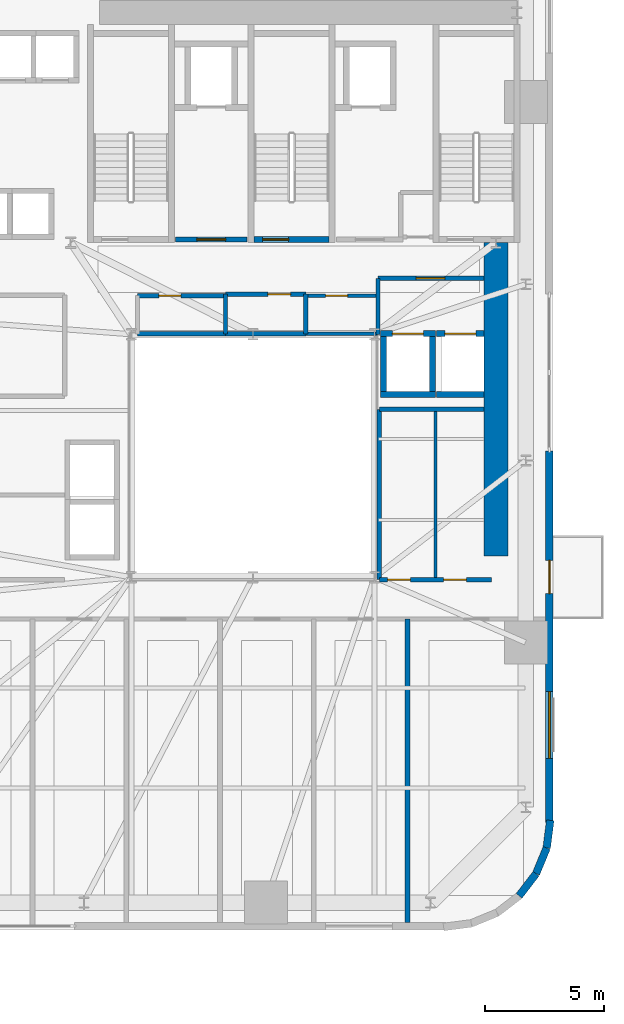
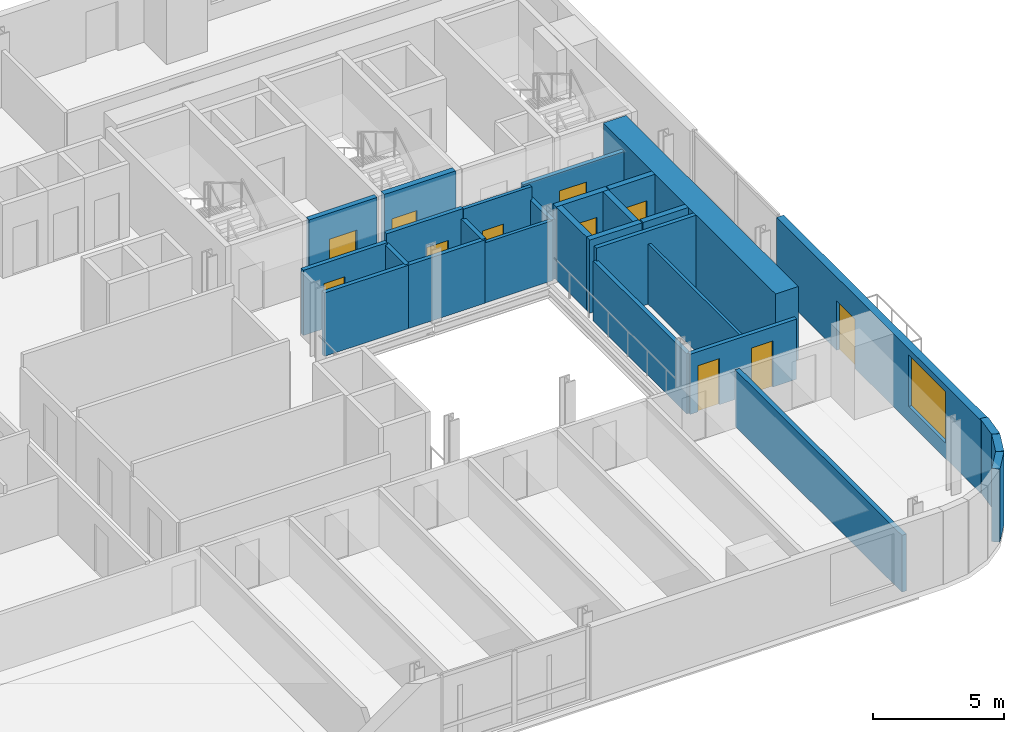
# One storey, part 7 of 13: 28 walls, 11 doors, 1 window, 12 openings.
"""IFC4 building model written with IfcOpenShell, lengths in metres."""

from ifc_helpers import new_model, si_unit, direction, frame, frame_2d, origin, place, context, subcontext, project, spatial, rectangle, extrude, source, transform, mapped, material, layer, layer_set, type_object, element, fill, save


model = new_model("IFC4")

# Units and contexts
model_context = context("Model", 3, precision=1e-05, world=origin(), true_north=direction((0.0, 1.0)))
body_context = subcontext(model_context, "Body", "Model", "MODEL_VIEW")
ifc_project = project(units=[si_unit("LENGTHUNIT", "METRE"), si_unit("AREAUNIT", "SQUARE_METRE"), si_unit("VOLUMEUNIT", "CUBIC_METRE"), si_unit("PLANEANGLEUNIT", "RADIAN"), si_unit("MASSUNIT", "GRAM", prefix="KILO")], contexts=[model_context])

# Site, building, storey
site_placement = place(None, origin())
site = spatial("IfcSite", under=ifc_project, at=site_placement, CompositionType="ELEMENT")
building_placement = place(site_placement, origin())
building = spatial("IfcBuilding", under=site, at=building_placement, Name="Vardaveli Station Tower", CompositionType="ELEMENT")
storey_placement = place(building_placement, frame((0.0, 0.0, 56.800048828125)))
storey = spatial("IfcBuildingStorey", under=building, at=storey_placement, Name="L14", CompositionType="ELEMENT", Elevation=56.800048828125)

# Wall
ifc_material_1 = material(Name="Concrete C60/75", Category="concrete")
ifc_layer_1 = layer(ifc_material_1, 1.0, Name="Concrete C60/75")
ifc_layer_set_1 = layer_set([ifc_layer_1], Name="Concrete C60/75")
wall_type_1 = type_object("IfcWallType", Name="WAL-CORE-1000", PredefinedType="SHEAR", material=ifc_layer_set_1)
shared_shape_1 = source(origin(), body_context, "Body", "SweptSolid", [
    extrude(rectangle(XDim=13.14990234375, YDim=1.0, at=frame_2d((6.574951171875, 0.0))), origin(), (0.0, 0.0, 1.0), 3.409912109375),
])
wall_1_placement = place(storey_placement, frame((46.5, 17.5, 0.0), z_axis=(0.0, 0.0, 1.0), x_axis=(0.0, 1.0, 0.0)))
element("IfcWall", 1, at=wall_1_placement, inside=storey, type_object=wall_type_1, Name="SW-L14-EAST2", PredefinedType="SHEAR", context=body_context, shape_type="MappedRepresentation", body=[
    mapped(shared_shape_1, transform((0.0, 0.0, 0.0), scale=1.0)),
])

# Wall, openings, door, window
ifc_material_2 = material(Name="Precast concrete C45/55", Category="concrete")
ifc_layer_2 = layer(ifc_material_2, 0.320068359375, Name="Precast concrete C45/55")
ifc_layer_set_2 = layer_set([ifc_layer_2], Name="Precast concrete C45/55")
wall_type_2 = type_object("IfcWallType", Name="WAL-EXT-STONE-320", PredefinedType="SOLIDWALL", material=ifc_layer_set_2)
shared_shape_2 = source(origin(), body_context, "Body", "SweptSolid", [
    extrude(rectangle(XDim=15.599853515625, YDim=0.320068359375, at=frame_2d((7.7998046875, 0.0))), origin(), (0.0, 0.0, 1.0), 3.409912109375),
])
wall_2_placement = place(storey_placement, frame((48.739990234375, 6.300048828125, 0.0), z_axis=(0.0, 0.0, 1.0), x_axis=(0.0, 1.0, 0.0)))
wall_2 = element("IfcWall", 2, at=wall_2_placement, inside=storey, type_object=wall_type_2, Name="EW-L14-E1", PredefinedType="SOLIDWALL", context=body_context, shape_type="MappedRepresentation", body=[
    mapped(shared_shape_2, transform((0.0, 0.0, 0.0), scale=1.0)),
])
shared_shape_3 = source(origin(), body_context, "Body", "SweptSolid", [
    extrude(rectangle(XDim=1.39990234375, YDim=2.300048828125, at=frame_2d((0.699951171875, 1.14990234375))), frame((0.0, 0.169921875, 0.0), z_axis=(0.0, -1.0, 0.0), x_axis=(1.0, 0.0, 0.0)), (0.0, 0.0, 1.0), 0.340087890625),
])
opening_1_placement = place(wall_2_placement, frame((9.6103515625, 0.0, 0.0)))
opening_1 = element("IfcOpeningElement", 3, at=opening_1_placement, cuts=wall_2, Name="Opening D-09", PredefinedType="OPENING", context=body_context, shape_type="MappedRepresentation", body=[
    mapped(shared_shape_3, transform((0.0, 0.0, 0.0), scale=1.0)),
])
shared_shape_4 = source(origin(), body_context, "Body", "SweptSolid", [
    extrude(rectangle(XDim=2.800048828125, YDim=2.39990234375, at=frame_2d((1.39990234375, 1.199951171875))), frame((0.0, 0.169921875, 0.0), z_axis=(0.0, -1.0, 0.0), x_axis=(1.0, 0.0, 0.0)), (0.0, 0.0, 1.0), 0.340087890625),
])
opening_2_placement = place(wall_2_placement, frame((2.705078125, 0.0, 0.719970703125)))
opening_2 = element("IfcOpeningElement", 4, at=opening_2_placement, cuts=wall_2, Name="Opening W-04", PredefinedType="OPENING", context=body_context, shape_type="MappedRepresentation", body=[
    mapped(shared_shape_4, transform((0.0, 0.0, 0.0), scale=1.0)),
])
ifc_material_3 = material(Name="Thermally broken aluminium glass", Category="aluminium")
door_type_1 = type_object("IfcDoorType", Name="DR-LOG-1400x2300", OperationType="DOUBLE_DOOR_SLIDING", PredefinedType="DOOR", material=ifc_material_3)
shared_shape_5 = source(origin(), body_context, "Body", "SweptSolid", [
    extrude(rectangle(XDim=1.39990234375, YDim=2.300048828125, at=frame_2d((0.699951171875, 1.14990234375))), frame((0.0, 0.02490234375, 0.0), z_axis=(0.0, -1.0, 0.0), x_axis=(1.0, 0.0, 0.0)), (0.0, 0.0, 1.0), 0.050048828125),
])
door_1_placement = place(opening_1_placement, frame((1.39990234375, 0.0, 0.0), z_axis=(0.0, 0.0, 1.0), x_axis=(-1.0, 0.0, 0.0)))
door_1 = element("IfcDoor", 5, at=door_1_placement, inside=storey, type_object=door_type_1, Name="DLG-L14-E", OperationType="DOUBLE_DOOR_SLIDING", OverallHeight=2.300048828125, OverallWidth=1.39990234375, PredefinedType="DOOR", context=body_context, shape_type="MappedRepresentation", body=[
    mapped(shared_shape_5, transform((0.0, 0.0, 0.0), scale=1.0)),
])
fill(opening_1, door_1)
ifc_material_4 = material(Name="Low-E solar-control glass", Category="glass")
window_type = type_object("IfcWindowType", Name="WIN-SUITE-2800x2400", PartitioningType="SINGLE_PANEL", PredefinedType="WINDOW", material=ifc_material_4)
shared_shape_6 = source(origin(), body_context, "Body", "SweptSolid", [
    extrude(rectangle(XDim=2.800048828125, YDim=2.39990234375, at=frame_2d((1.39990234375, 1.199951171875))), frame((0.0, 0.030029296875, 0.0), z_axis=(0.0, -1.0, 0.0), x_axis=(1.0, 0.0, 0.0)), (0.0, 0.0, 1.0), 0.06005859375),
])
window_placement = place(opening_2_placement, origin())
window = element("IfcWindow", 6, at=window_placement, inside=storey, type_object=window_type, Name="WN-L14-E1", OverallHeight=2.39990234375, OverallWidth=2.800048828125, PartitioningType="SINGLE_PANEL", PredefinedType="WINDOW", context=body_context, shape_type="MappedRepresentation", body=[
    mapped(shared_shape_6, transform((0.0, 0.0, 0.0), scale=1.0)),
])
fill(opening_2, window)

# Walls
shared_shape_7 = source(origin(), body_context, "Body", "SweptSolid", [
    extrude(rectangle(XDim=1.170654296875, YDim=0.320068359375, at=frame_2d((0.58544921875, 0.0))), origin(), (0.0, 0.0, 1.0), 3.409912109375),
])
wall_3_placement = place(storey_placement, frame((48.62548828125, 5.23974609375, 0.0), z_axis=(0.0, 0.0, 1.0), x_axis=(0.128269133229, 0.991739395941, 0.0)))
element("IfcWall", 7, at=wall_3_placement, inside=storey, type_object=wall_type_2, Name="EW-L14-CR2-6", PredefinedType="SOLIDWALL", context=body_context, shape_type="MappedRepresentation", body=[
    mapped(shared_shape_7, transform((0.0, 0.0, 0.0), scale=1.0)),
])
shared_shape_8 = source(origin(), body_context, "Body", "SweptSolid", [
    extrude(rectangle(XDim=1.1689453125, YDim=0.320068359375, at=frame_2d((0.58447265625, 0.0))), origin(), (0.0, 0.0, 1.0), 3.409912109375),
])
for number, where, z_axis, x_axis, name in (
    (8, (47.46875, 3.231201171875, 0.0), (0.0, 0.0, 1.0), (0.608387696831, 0.793639975269, 0.0), "EW-L14-CR2-4"),
    (9, (48.179931640625, 4.158935546875, 0.0), (0.0, 0.0, 1.0), (0.381127904695, 0.924522320046, 0.0), "EW-L14-CR2-5"),
):
    element("IfcWall", number, at=place(storey_placement, frame(where, z_axis=z_axis, x_axis=x_axis)), inside=storey, type_object=wall_type_2, Name=name, PredefinedType="SOLIDWALL", context=body_context, shape_type="MappedRepresentation", body=[
        mapped(shared_shape_8, transform((0.0, 0.0, 0.0), scale=1.0)),
    ])

# Wall, opening, door
ifc_material_5 = material(Name="Concrete C40/50", Category="concrete")
ifc_layer_3 = layer(ifc_material_5, 0.25, Name="Concrete C40/50")
ifc_layer_set_3 = layer_set([ifc_layer_3], Name="Concrete C40/50")
wall_type_3 = type_object("IfcWallType", Name="WAL-SHAFT-250", PredefinedType="SOLIDWALL", material=ifc_layer_set_3)
shared_shape_9 = source(origin(), body_context, "Body", "SweptSolid", [
    extrude(rectangle(XDim=3.14990234375, YDim=0.25, at=frame_2d((1.574951171875, 0.0))), origin(), (0.0, 0.0, 1.0), 3.449951171875),
])
wall_4_placement = place(storey_placement, frame((36.35009765625, 30.77490234375, 0.0), z_axis=(0.0, 0.0, 1.0), x_axis=(1.0, 0.0, 0.0)))
wall_4 = element("IfcWall", 10, at=wall_4_placement, inside=storey, type_object=wall_type_3, Name="W-L14-ST-2S", PredefinedType="SOLIDWALL", context=body_context, shape_type="MappedRepresentation", body=[
    mapped(shared_shape_9, transform((0.0, 0.0, 0.0), scale=1.0)),
])
shared_shape_10 = source(origin(), body_context, "Body", "SweptSolid", [
    extrude(rectangle(XDim=1.10009765625, YDim=2.199951171875, at=frame_2d((0.550048828125, 1.10009765625))), frame((0.0, 0.135009765625, 0.0), z_axis=(0.0, -1.0, 0.0), x_axis=(1.0, 0.0, 0.0)), (0.0, 0.0, 1.0), 0.27001953125),
])
opening_3_placement = place(wall_4_placement, frame((0.35009765625, 0.0, 0.0)))
opening_3 = element("IfcOpeningElement", 11, at=opening_3_placement, cuts=wall_4, Name="Opening D-04", PredefinedType="OPENING", context=body_context, shape_type="MappedRepresentation", body=[
    mapped(shared_shape_10, transform((0.0, 0.0, 0.0), scale=1.0)),
])
ifc_material_6 = material(Name="Steel smokeproof fire doorset", Category="steel")
door_type_2 = type_object("IfcDoorType", Name="DR-ST-1100x2200", OperationType="NOTDEFINED", PredefinedType="DOOR", material=ifc_material_6)
shared_shape_11 = source(origin(), body_context, "Body", "SweptSolid", [
    extrude(rectangle(XDim=1.10009765625, YDim=2.199951171875, at=frame_2d((0.550048828125, 1.10009765625))), frame((0.0, 0.02490234375, 0.0), z_axis=(0.0, -1.0, 0.0), x_axis=(1.0, 0.0, 0.0)), (0.0, 0.0, 1.0), 0.050048828125),
])
door_2_placement = place(opening_3_placement, origin())
door_2 = element("IfcDoor", 12, at=door_2_placement, inside=storey, type_object=door_type_2, Name="DST-2-L14", OperationType="SINGLE_SWING_LEFT", OverallHeight=2.199951171875, OverallWidth=1.10009765625, PredefinedType="DOOR", context=body_context, shape_type="MappedRepresentation", body=[
    mapped(shared_shape_11, transform((0.0, 0.0, 0.0), scale=1.0)),
])
fill(opening_3, door_2)

ifc_layer_4 = layer(ifc_material_5, 0.219970703125, Name="Concrete C40/50")
ifc_layer_set_4 = layer_set([ifc_layer_4], Name="Concrete C40/50")
wall_type_4 = type_object("IfcWallType", Name="WAL-FFLOBBY-220", PredefinedType="SOLIDWALL", material=ifc_layer_set_4)
shared_shape_12 = source(origin(), body_context, "Body", "SweptSolid", [
    extrude(rectangle(XDim=3.0, YDim=0.219970703125, at=frame_2d((1.5, 0.0))), origin(), (0.0, 0.0, 1.0), 3.409912109375),
])
wall_5_placement = place(storey_placement, frame((33.050048828125, 30.780029296875, 0.0), z_axis=(0.0, 0.0, 1.0), x_axis=(1.0, 0.0, 0.0)))
wall_5 = element("IfcWall", 13, at=wall_5_placement, inside=storey, type_object=wall_type_4, Name="W-L14-FFL1S", PredefinedType="SOLIDWALL", context=body_context, shape_type="MappedRepresentation", body=[
    mapped(shared_shape_12, transform((0.0, 0.0, 0.0), scale=1.0)),
])
shared_shape_13 = source(origin(), body_context, "Body", "SweptSolid", [
    extrude(rectangle(XDim=1.199951171875, YDim=2.199951171875, at=frame_2d((0.60009765625, 1.10009765625))), frame((0.0, 0.1201171875, 0.0), z_axis=(0.0, -1.0, 0.0), x_axis=(1.0, 0.0, 0.0)), (0.0, 0.0, 1.0), 0.239990234375),
])
opening_4_placement = place(wall_5_placement, frame((0.89990234375, 0.0, 0.0)))
opening_4 = element("IfcOpeningElement", 14, at=opening_4_placement, cuts=wall_5, Name="Opening D-03", PredefinedType="OPENING", context=body_context, shape_type="MappedRepresentation", body=[
    mapped(shared_shape_13, transform((0.0, 0.0, 0.0), scale=1.0)),
])
door_type_3 = type_object("IfcDoorType", Name="DR-FFL-1200x2200", OperationType="NOTDEFINED", PredefinedType="DOOR", material=ifc_material_6)
shared_shape_14 = source(origin(), body_context, "Body", "SweptSolid", [
    extrude(rectangle(XDim=1.199951171875, YDim=2.199951171875, at=frame_2d((0.60009765625, 1.10009765625))), frame((0.0, 0.02490234375, 0.0), z_axis=(0.0, -1.0, 0.0), x_axis=(1.0, 0.0, 0.0)), (0.0, 0.0, 1.0), 0.050048828125),
])
door_3_placement = place(opening_4_placement, origin())
door_3 = element("IfcDoor", 15, at=door_3_placement, inside=storey, type_object=door_type_3, Name="DFFL1-L14", OperationType="SINGLE_SWING_LEFT", OverallHeight=2.199951171875, OverallWidth=1.199951171875, PredefinedType="DOOR", context=body_context, shape_type="MappedRepresentation", body=[
    mapped(shared_shape_14, transform((0.0, 0.0, 0.0), scale=1.0)),
])
fill(opening_4, door_3)

# Wall
shared_shape_15 = source(origin(), body_context, "Body", "SweptSolid", [
    extrude(rectangle(XDim=2.300048828125, YDim=0.25, at=frame_2d((1.14990234375, 0.0))), origin(), (0.0, 0.0, 1.0), 3.409912109375),
])
wall_6_placement = place(storey_placement, frame((41.64990234375, 24.27490234375, 0.0), z_axis=(0.0, 0.0, 1.0), x_axis=(1.0, 0.0, 0.0)))
element("IfcWall", 16, at=wall_6_placement, inside=storey, type_object=wall_type_3, Name="SHW-SRV-01-L14-S", PredefinedType="SOLIDWALL", context=body_context, shape_type="MappedRepresentation", body=[
    mapped(shared_shape_15, transform((0.0, 0.0, 0.0), scale=1.0)),
])

# Wall, opening, door
wall_7_placement = place(storey_placement, frame((41.64990234375, 26.824951171875, 0.0), z_axis=(0.0, 0.0, 1.0), x_axis=(1.0, 0.0, 0.0)))
wall_7 = element("IfcWall", 17, at=wall_7_placement, inside=storey, type_object=wall_type_3, Name="SHW-SRV-01-L14-N", PredefinedType="SOLIDWALL", context=body_context, shape_type="MappedRepresentation", body=[
    mapped(shared_shape_15, transform((0.0, 0.0, 0.0), scale=1.0)),
])
shared_shape_16 = source(origin(), body_context, "Body", "SweptSolid", [
    extrude(rectangle(XDim=1.300048828125, YDim=2.300048828125, at=frame_2d((0.64990234375, 1.14990234375))), frame((0.0, 0.135009765625, 0.0), z_axis=(0.0, -1.0, 0.0), x_axis=(1.0, 0.0, 0.0)), (0.0, 0.0, 1.0), 0.27001953125),
])
opening_5_placement = place(wall_7_placement, frame((0.5, 0.0, 0.0)))
opening_5 = element("IfcOpeningElement", 18, at=opening_5_placement, cuts=wall_7, Name="Opening LD-03", PredefinedType="OPENING", context=body_context, shape_type="MappedRepresentation", body=[
    mapped(shared_shape_16, transform((0.0, 0.0, 0.0), scale=1.0)),
])
ifc_material_7 = material(Name="Brushed stainless steel", Category="steel")
door_type_4 = type_object("IfcDoorType", Name="DR-LD-1300x2300", OperationType="DOUBLE_DOOR_SLIDING", PredefinedType="DOOR", material=ifc_material_7)
shared_shape_17 = source(origin(), body_context, "Body", "SweptSolid", [
    extrude(rectangle(XDim=1.300048828125, YDim=2.300048828125, at=frame_2d((0.64990234375, 1.14990234375))), frame((0.0, 0.02490234375, 0.0), z_axis=(0.0, -1.0, 0.0), x_axis=(1.0, 0.0, 0.0)), (0.0, 0.0, 1.0), 0.050048828125),
])
door_4_placement = place(opening_5_placement, origin())
door_4 = element("IfcDoor", 19, at=door_4_placement, inside=storey, type_object=door_type_4, Name="LD-SRV-01-L14", OperationType="DOUBLE_DOOR_SLIDING", OverallHeight=2.300048828125, OverallWidth=1.300048828125, PredefinedType="DOOR", context=body_context, shape_type="MappedRepresentation", body=[
    mapped(shared_shape_17, transform((0.0, 0.0, 0.0), scale=1.0)),
])
fill(opening_5, door_4)

# Walls
for number, where, z_axis, x_axis, name in (
    (20, (41.77490234375, 24.39990234375, 0.0), (0.0, 0.0, 1.0), (0.0, 1.0, 0.0), "SHW-SRV-01-L14-W"),
    (21, (43.824951171875, 24.39990234375, 0.0), (0.0, 0.0, 1.0), (0.0, 1.0, 0.0), "SHW-SRV-01-L14-E"),
):
    element("IfcWall", number, at=place(storey_placement, frame(where, z_axis=z_axis, x_axis=x_axis)), inside=storey, type_object=wall_type_3, Name=name, PredefinedType="SOLIDWALL", context=body_context, shape_type="MappedRepresentation", body=[
        mapped(shared_shape_15, transform((0.0, 0.0, 0.0), scale=1.0)),
    ])
shared_shape_18 = source(origin(), body_context, "Body", "SweptSolid", [
    extrude(rectangle(XDim=2.0, YDim=0.25, at=frame_2d((1.0, 0.0))), origin(), (0.0, 0.0, 1.0), 3.409912109375),
])
wall_8_placement = place(storey_placement, frame((44.0, 24.27490234375, 0.0), z_axis=(0.0, 0.0, 1.0), x_axis=(1.0, 0.0, 0.0)))
element("IfcWall", 22, at=wall_8_placement, inside=storey, type_object=wall_type_3, Name="SHW-SRV-02-L14-S", PredefinedType="SOLIDWALL", context=body_context, shape_type="MappedRepresentation", body=[
    mapped(shared_shape_18, transform((0.0, 0.0, 0.0), scale=1.0)),
])

# Wall, opening, door
wall_9_placement = place(storey_placement, frame((44.0, 26.824951171875, 0.0), z_axis=(0.0, 0.0, 1.0), x_axis=(1.0, 0.0, 0.0)))
wall_9 = element("IfcWall", 23, at=wall_9_placement, inside=storey, type_object=wall_type_3, Name="SHW-SRV-02-L14-N", PredefinedType="SOLIDWALL", context=body_context, shape_type="MappedRepresentation", body=[
    mapped(shared_shape_18, transform((0.0, 0.0, 0.0), scale=1.0)),
])
opening_6_placement = place(wall_9_placement, frame((0.35009765625, 0.0, 0.0)))
opening_6 = element("IfcOpeningElement", 24, at=opening_6_placement, cuts=wall_9, Name="Opening LD-03", PredefinedType="OPENING", context=body_context, shape_type="MappedRepresentation", body=[
    mapped(shared_shape_16, transform((0.0, 0.0, 0.0), scale=1.0)),
])
door_5_placement = place(opening_6_placement, origin())
door_5 = element("IfcDoor", 25, at=door_5_placement, inside=storey, type_object=door_type_4, Name="LD-SRV-02-L14", OperationType="DOUBLE_DOOR_SLIDING", OverallHeight=2.300048828125, OverallWidth=1.300048828125, PredefinedType="DOOR", context=body_context, shape_type="MappedRepresentation", body=[
    mapped(shared_shape_17, transform((0.0, 0.0, 0.0), scale=1.0)),
])
fill(opening_6, door_5)

ifc_material_8 = material(Name="Fire-rated gypsum stud partition")
ifc_layer_5 = layer(ifc_material_8, 0.179931640625, Name="Fire-rated gypsum stud partition")
ifc_layer_set_5 = layer_set([ifc_layer_5], Name="Fire-rated gypsum stud partition")
wall_type_5 = type_object("IfcWallType", Name="WAL-CORR-180", PredefinedType="PARTITIONING", material=ifc_layer_set_5)
shared_shape_19 = source(origin(), body_context, "Body", "SweptSolid", [
    extrude(rectangle(XDim=4.447998046875, YDim=0.179931640625, at=frame_2d((2.22412109375, 0.0))), origin(), (0.0, 0.0, 1.0), 3.0419921875),
])
wall_10_placement = place(storey_placement, frame((41.550048828125, 29.14990234375, 0.0), z_axis=(0.0, 0.0, 1.0), x_axis=(1.0, 0.0, 0.0)))
wall_10 = element("IfcWall", 26, at=wall_10_placement, inside=storey, type_object=wall_type_5, Name="W-L14-SVFN", PredefinedType="PARTITIONING", context=body_context, shape_type="MappedRepresentation", body=[
    mapped(shared_shape_19, transform((0.0, 0.0, 0.0), scale=1.0)),
])
shared_shape_20 = source(origin(), body_context, "Body", "SweptSolid", [
    extrude(rectangle(XDim=1.199951171875, YDim=2.199951171875, at=frame_2d((0.60009765625, 1.10009765625))), frame((0.0, 0.10009765625, 0.0), z_axis=(0.0, -1.0, 0.0), x_axis=(1.0, 0.0, 0.0)), (0.0, 0.0, 1.0), 0.199951171875),
])
opening_7_placement = place(wall_10_placement, frame((1.60009765625, 0.0, 0.0)))
opening_7 = element("IfcOpeningElement", 27, at=opening_7_placement, cuts=wall_10, Name="Opening D-03", PredefinedType="OPENING", context=body_context, shape_type="MappedRepresentation", body=[
    mapped(shared_shape_20, transform((0.0, 0.0, 0.0), scale=1.0)),
])
door_6_placement = place(opening_7_placement, origin())
door_6 = element("IfcDoor", 28, at=door_6_placement, inside=storey, type_object=door_type_3, Name="D-L14-SVF", OperationType="SINGLE_SWING_LEFT", OverallHeight=2.199951171875, OverallWidth=1.199951171875, PredefinedType="DOOR", context=body_context, shape_type="MappedRepresentation", body=[
    mapped(shared_shape_14, transform((0.0, 0.0, 0.0), scale=1.0)),
])
fill(opening_7, door_6)

# Wall, openings, doors
shared_shape_21 = source(origin(), body_context, "Body", "SweptSolid", [
    extrude(rectangle(XDim=4.699951171875, YDim=0.179931640625, at=frame_2d((2.35009765625, 0.0))), origin(), (0.0, 0.0, 1.0), 2.802001953125),
])
wall_11_placement = place(storey_placement, frame((41.60009765625, 16.5, 0.0), z_axis=(0.0, 0.0, 1.0), x_axis=(1.0, 0.0, 0.0)))
wall_11 = element("IfcWall", 29, at=wall_11_placement, inside=storey, type_object=wall_type_5, Name="W-L14-ATE-S", PredefinedType="PARTITIONING", context=body_context, shape_type="MappedRepresentation", body=[
    mapped(shared_shape_21, transform((0.0, 0.0, 0.0), scale=1.0)),
])
shared_shape_22 = source(origin(), body_context, "Body", "SweptSolid", [
    extrude(rectangle(XDim=0.949951171875, YDim=2.14990234375, at=frame_2d((0.47509765625, 1.074951171875))), frame((0.0, 0.10009765625, 0.0), z_axis=(0.0, -1.0, 0.0), x_axis=(1.0, 0.0, 0.0)), (0.0, 0.0, 1.0), 0.199951171875),
])
opening_8_placement = place(wall_11_placement, frame((0.35009765625, 0.0, 0.0)))
opening_8 = element("IfcOpeningElement", 30, at=opening_8_placement, cuts=wall_11, Name="Opening D-11", PredefinedType="OPENING", context=body_context, shape_type="MappedRepresentation", body=[
    mapped(shared_shape_22, transform((0.0, 0.0, 0.0), scale=1.0)),
])
opening_9_placement = place(wall_11_placement, frame((2.699951171875, 0.0, 0.0)))
opening_9 = element("IfcOpeningElement", 31, at=opening_9_placement, cuts=wall_11, Name="Opening D-11", PredefinedType="OPENING", context=body_context, shape_type="MappedRepresentation", body=[
    mapped(shared_shape_22, transform((0.0, 0.0, 0.0), scale=1.0)),
])
ifc_material_9 = material(Name="Oak veneer internal suite door")
door_type_5 = type_object("IfcDoorType", Name="DR-INT-950x2150", OperationType="NOTDEFINED", PredefinedType="DOOR", material=ifc_material_9)
shared_shape_23 = source(origin(), body_context, "Body", "SweptSolid", [
    extrude(rectangle(XDim=0.949951171875, YDim=2.14990234375, at=frame_2d((0.47509765625, 1.074951171875))), frame((0.0, 0.02490234375, 0.0), z_axis=(0.0, -1.0, 0.0), x_axis=(1.0, 0.0, 0.0)), (0.0, 0.0, 1.0), 0.050048828125),
])
door_7_placement = place(opening_8_placement, origin())
door_7 = element("IfcDoor", 32, at=door_7_placement, inside=storey, type_object=door_type_5, Name="D-L14-ATE1", OperationType="SINGLE_SWING_RIGHT", OverallHeight=2.14990234375, OverallWidth=0.949951171875, PredefinedType="DOOR", context=body_context, shape_type="MappedRepresentation", body=[
    mapped(shared_shape_23, transform((0.0, 0.0, 0.0), scale=1.0)),
])
fill(opening_8, door_7)
door_8_placement = place(opening_9_placement, origin())
door_8 = element("IfcDoor", 33, at=door_8_placement, inside=storey, type_object=door_type_5, Name="D-L14-ATE2", OperationType="SINGLE_SWING_LEFT", OverallHeight=2.14990234375, OverallWidth=0.949951171875, PredefinedType="DOOR", context=body_context, shape_type="MappedRepresentation", body=[
    mapped(shared_shape_23, transform((0.0, 0.0, 0.0), scale=1.0)),
])
fill(opening_9, door_8)

# Walls
shared_shape_24 = source(origin(), body_context, "Body", "SweptSolid", [
    extrude(rectangle(XDim=7.14990234375, YDim=0.179931640625, at=frame_2d((3.574951171875, 0.0))), origin(), (0.0, 0.0, 1.0), 2.802001953125),
])
wall_12_placement = place(storey_placement, frame((41.60009765625, 16.5, 0.0), z_axis=(0.0, 0.0, 1.0), x_axis=(0.0, 1.0, 0.0)))
element("IfcWall", 34, at=wall_12_placement, inside=storey, type_object=wall_type_5, Name="W-L14-ATE-W", PredefinedType="PARTITIONING", context=body_context, shape_type="MappedRepresentation", body=[
    mapped(shared_shape_24, transform((0.0, 0.0, 0.0), scale=1.0)),
])
shared_shape_25 = source(origin(), body_context, "Body", "SweptSolid", [
    extrude(rectangle(XDim=4.39794921875, YDim=0.179931640625, at=frame_2d((2.198974609375, 0.0))), origin(), (0.0, 0.0, 1.0), 3.409912109375),
])
wall_13_placement = place(storey_placement, frame((41.60009765625, 23.64990234375, 0.0), z_axis=(0.0, 0.0, 1.0), x_axis=(1.0, 0.0, 0.0)))
element("IfcWall", 35, at=wall_13_placement, inside=storey, type_object=wall_type_5, Name="W-L14-ATE-N", PredefinedType="PARTITIONING", context=body_context, shape_type="MappedRepresentation", body=[
    mapped(shared_shape_25, transform((0.0, 0.0, 0.0), scale=1.0)),
])
shared_shape_26 = source(origin(), body_context, "Body", "SweptSolid", [
    extrude(rectangle(XDim=2.349853515625, YDim=0.179931640625, at=frame_2d((1.1748046875, 0.0))), origin(), (0.0, 0.0, 1.0), 2.802001953125),
])
wall_14_placement = place(storey_placement, frame((41.550048828125, 26.800048828125, 0.0), z_axis=(0.0, 0.0, 1.0), x_axis=(0.0, 1.0, 0.0)))
element("IfcWall", 36, at=wall_14_placement, inside=storey, type_object=wall_type_5, Name="W-L14-SVFW", PredefinedType="PARTITIONING", context=body_context, shape_type="MappedRepresentation", body=[
    mapped(shared_shape_26, transform((0.0, 0.0, 0.0), scale=1.0)),
])
ifc_material_10 = material(Name="Gypsum board stud partition")
ifc_layer_6 = layer(ifc_material_10, 0.125, Name="Gypsum board stud partition")
ifc_layer_set_6 = layer_set([ifc_layer_6], Name="Gypsum board stud partition")
wall_type_6 = type_object("IfcWallType", Name="WAL-INT-125", PredefinedType="PARTITIONING", material=ifc_layer_set_6)
shared_shape_27 = source(origin(), body_context, "Body", "SweptSolid", [
    extrude(rectangle(XDim=7.14990234375, YDim=0.125, at=frame_2d((3.574951171875, 0.0))), origin(), (0.0, 0.0, 1.0), 2.802001953125),
])
wall_15_placement = place(storey_placement, frame((43.949951171875, 16.5, 0.0), z_axis=(0.0, 0.0, 1.0), x_axis=(0.0, 1.0, 0.0)))
element("IfcWall", 37, at=wall_15_placement, inside=storey, type_object=wall_type_6, Name="W-L14-ATEM", PredefinedType="PARTITIONING", context=body_context, shape_type="MappedRepresentation", body=[
    mapped(shared_shape_27, transform((0.0, 0.0, 0.0), scale=1.0)),
])

# Wall, opening, door
shared_shape_28 = source(origin(), body_context, "Body", "SweptSolid", [
    extrude(rectangle(XDim=3.699951171875, YDim=0.179931640625, at=frame_2d((1.85009765625, 0.0))), origin(), (0.0, 0.0, 1.0), 3.0419921875),
])
wall_16_placement = place(storey_placement, frame((31.449951171875, 28.419921875, 0.0), z_axis=(0.0, 0.0, 1.0), x_axis=(1.0, 0.0, 0.0)))
wall_16 = element("IfcWall", 38, at=wall_16_placement, inside=storey, type_object=wall_type_5, Name="W-L14-CS2A-N", PredefinedType="PARTITIONING", context=body_context, shape_type="MappedRepresentation", body=[
    mapped(shared_shape_28, transform((0.0, 0.0, 0.0), scale=1.0)),
])
shared_shape_29 = source(origin(), body_context, "Body", "SweptSolid", [
    extrude(rectangle(XDim=0.919921875, YDim=2.10009765625, at=frame_2d((0.4599609375, 1.050048828125))), frame((0.0, 0.10009765625, 0.0), z_axis=(0.0, -1.0, 0.0), x_axis=(1.0, 0.0, 0.0)), (0.0, 0.0, 1.0), 0.199951171875),
])
opening_10_placement = place(wall_16_placement, frame((0.89990234375, 0.0, 0.0)))
opening_10 = element("IfcOpeningElement", 39, at=opening_10_placement, cuts=wall_16, Name="Opening D-07", PredefinedType="OPENING", context=body_context, shape_type="MappedRepresentation", body=[
    mapped(shared_shape_29, transform((0.0, 0.0, 0.0), scale=1.0)),
])
ifc_material_11 = material(Name="Moisture-resistant hardwood door", Category="wood")
door_type_6 = type_object("IfcDoorType", Name="DR-WC-920x2100", OperationType="NOTDEFINED", PredefinedType="DOOR", material=ifc_material_11)
shared_shape_30 = source(origin(), body_context, "Body", "SweptSolid", [
    extrude(rectangle(XDim=0.919921875, YDim=2.10009765625, at=frame_2d((0.4599609375, 1.050048828125))), frame((0.0, 0.02490234375, 0.0), z_axis=(0.0, -1.0, 0.0), x_axis=(1.0, 0.0, 0.0)), (0.0, 0.0, 1.0), 0.050048828125),
])
door_9_placement = place(opening_10_placement, origin())
door_9 = element("IfcDoor", 40, at=door_9_placement, inside=storey, type_object=door_type_6, Name="D-L14-CS2A", OperationType="SINGLE_SWING_RIGHT", OverallHeight=2.10009765625, OverallWidth=0.919921875, PredefinedType="DOOR", context=body_context, shape_type="MappedRepresentation", body=[
    mapped(shared_shape_30, transform((0.0, 0.0, 0.0), scale=1.0)),
])
fill(opening_10, door_9)

# Wall
ifc_material_12 = material(Name="Moisture-resistant stud partition")
ifc_layer_7 = layer(ifc_material_12, 0.14990234375, Name="Moisture-resistant stud partition")
ifc_layer_set_7 = layer_set([ifc_layer_7], Name="Moisture-resistant stud partition")
wall_type_7 = type_object("IfcWallType", Name="WAL-WET-150", PredefinedType="PARTITIONING", material=ifc_layer_set_7)
shared_shape_31 = source(origin(), body_context, "Body", "SweptSolid", [
    extrude(rectangle(XDim=3.0, YDim=0.14990234375, at=frame_2d((1.5, 0.0))), origin(), (0.0, 0.0, 1.0), 2.802001953125),
])
wall_17_placement = place(storey_placement, frame((38.52001953125, 26.820068359375, 0.0), z_axis=(0.0, 0.0, 1.0), x_axis=(1.0, 0.0, 0.0)))
element("IfcWall", 41, at=wall_17_placement, inside=storey, type_object=wall_type_7, Name="W-L14-WCA2-S", PredefinedType="PARTITIONING", context=body_context, shape_type="MappedRepresentation", body=[
    mapped(shared_shape_31, transform((0.0, 0.0, 0.0), scale=1.0)),
])

# Wall, opening, door
shared_shape_32 = source(origin(), body_context, "Body", "SweptSolid", [
    extrude(rectangle(XDim=3.3701171875, YDim=0.179931640625, at=frame_2d((1.68505859375, 0.0))), origin(), (0.0, 0.0, 1.0), 3.409912109375),
])
wall_18_placement = place(storey_placement, frame((35.14990234375, 28.47998046875, 0.0), z_axis=(0.0, 0.0, 1.0), x_axis=(1.0, 0.0, 0.0)))
wall_18 = element("IfcWall", 42, at=wall_18_placement, inside=storey, type_object=wall_type_5, Name="W-L14-HKP2-N", PredefinedType="PARTITIONING", context=body_context, shape_type="MappedRepresentation", body=[
    mapped(shared_shape_32, transform((0.0, 0.0, 0.0), scale=1.0)),
])
opening_11_placement = place(wall_18_placement, frame((1.77490234375, 0.0, 0.0)))
opening_11 = element("IfcOpeningElement", 43, at=opening_11_placement, cuts=wall_18, Name="Opening D-06", PredefinedType="OPENING", context=body_context, shape_type="MappedRepresentation", body=[
    mapped(shared_shape_22, transform((0.0, 0.0, 0.0), scale=1.0)),
])
ifc_material_13 = material(Name="Oak veneer acoustic fire door")
door_type_7 = type_object("IfcDoorType", Name="DR-GUEST-950x2150", OperationType="NOTDEFINED", PredefinedType="DOOR", material=ifc_material_13)
door_10_placement = place(opening_11_placement, origin())
door_10 = element("IfcDoor", 44, at=door_10_placement, inside=storey, type_object=door_type_7, Name="D-L14-HKP", OperationType="SINGLE_SWING_LEFT", OverallHeight=2.14990234375, OverallWidth=0.949951171875, PredefinedType="DOOR", context=body_context, shape_type="MappedRepresentation", body=[
    mapped(shared_shape_23, transform((0.0, 0.0, 0.0), scale=1.0)),
])
fill(opening_11, door_10)

shared_shape_33 = source(origin(), body_context, "Body", "SweptSolid", [
    extrude(rectangle(XDim=3.0, YDim=0.14990234375, at=frame_2d((1.5, 0.0))), origin(), (0.0, 0.0, 1.0), 3.409912109375),
])
wall_19_placement = place(storey_placement, frame((38.52001953125, 28.419921875, 0.0), z_axis=(0.0, 0.0, 1.0), x_axis=(1.0, 0.0, 0.0)))
wall_19 = element("IfcWall", 45, at=wall_19_placement, inside=storey, type_object=wall_type_7, Name="W-L14-WCA2-N", PredefinedType="PARTITIONING", context=body_context, shape_type="MappedRepresentation", body=[
    mapped(shared_shape_33, transform((0.0, 0.0, 0.0), scale=1.0)),
])
shared_shape_34 = source(origin(), body_context, "Body", "SweptSolid", [
    extrude(rectangle(XDim=0.919921875, YDim=2.10009765625, at=frame_2d((0.4599609375, 1.050048828125))), frame((0.0, 0.0849609375, 0.0), z_axis=(0.0, -1.0, 0.0), x_axis=(1.0, 0.0, 0.0)), (0.0, 0.0, 1.0), 0.169921875),
])
opening_12_placement = place(wall_19_placement, frame((0.830078125, 0.0, 0.0)))
opening_12 = element("IfcOpeningElement", 46, at=opening_12_placement, cuts=wall_19, Name="Opening D-07", PredefinedType="OPENING", context=body_context, shape_type="MappedRepresentation", body=[
    mapped(shared_shape_34, transform((0.0, 0.0, 0.0), scale=1.0)),
])
door_11_placement = place(opening_12_placement, origin())
door_11 = element("IfcDoor", 47, at=door_11_placement, inside=storey, type_object=door_type_6, Name="D-L14-WCA", OperationType="SINGLE_SWING_RIGHT", OverallHeight=2.10009765625, OverallWidth=0.919921875, PredefinedType="DOOR", context=body_context, shape_type="MappedRepresentation", body=[
    mapped(shared_shape_30, transform((0.0, 0.0, 0.0), scale=1.0)),
])
fill(opening_12, door_11)

# Walls
shared_shape_35 = source(origin(), body_context, "Body", "SweptSolid", [
    extrude(rectangle(XDim=3.699951171875, YDim=0.179931640625, at=frame_2d((1.85009765625, 0.0))), origin(), (0.0, 0.0, 1.0), 2.951904296875),
])
wall_20_placement = place(storey_placement, frame((31.449951171875, 26.820068359375, 0.0), z_axis=(0.0, 0.0, 1.0), x_axis=(1.0, 0.0, 0.0)))
element("IfcWall", 48, at=wall_20_placement, inside=storey, type_object=wall_type_5, Name="W-L14-CS2A-S", PredefinedType="PARTITIONING", context=body_context, shape_type="MappedRepresentation", body=[
    mapped(shared_shape_35, transform((0.0, 0.0, 0.0), scale=1.0)),
])
shared_shape_36 = source(origin(), body_context, "Body", "SweptSolid", [
    extrude(rectangle(XDim=3.3701171875, YDim=0.179931640625, at=frame_2d((1.68505859375, 0.0))), origin(), (0.0, 0.0, 1.0), 2.951904296875),
])
wall_21_placement = place(storey_placement, frame((35.14990234375, 26.820068359375, 0.0), z_axis=(0.0, 0.0, 1.0), x_axis=(1.0, 0.0, 0.0)))
element("IfcWall", 49, at=wall_21_placement, inside=storey, type_object=wall_type_5, Name="W-L14-HKP2-S", PredefinedType="PARTITIONING", context=body_context, shape_type="MappedRepresentation", body=[
    mapped(shared_shape_36, transform((0.0, 0.0, 0.0), scale=1.0)),
])
shared_shape_37 = source(origin(), body_context, "Body", "SweptSolid", [
    extrude(rectangle(XDim=1.659912109375, YDim=0.179931640625, at=frame_2d((0.830078125, 0.0))), origin(), (0.0, 0.0, 1.0), 2.951904296875),
])
for number, where, z_axis, x_axis, name in (
    (50, (35.14990234375, 26.820068359375, 0.0), (0.0, 0.0, 1.0), (0.0, 1.0, 0.0), "W-L14-HKP2-W"),
    (51, (38.52001953125, 26.820068359375, 0.0), (0.0, 0.0, 1.0), (0.0, 1.0, 0.0), "W-L14-HKP2-E"),
):
    element("IfcWall", number, at=place(storey_placement, frame(where, z_axis=z_axis, x_axis=x_axis)), inside=storey, type_object=wall_type_5, Name=name, PredefinedType="PARTITIONING", context=body_context, shape_type="MappedRepresentation", body=[
        mapped(shared_shape_37, transform((0.0, 0.0, 0.0), scale=1.0)),
    ])
ifc_material_14 = material(Name="Acoustic twin-stud gypsum partition")
ifc_layer_8 = layer(ifc_material_14, 0.199951171875, Name="Acoustic twin-stud gypsum partition")
ifc_layer_set_8 = layer_set([ifc_layer_8], Name="Acoustic twin-stud gypsum partition")
wall_type_8 = type_object("IfcWallType", Name="WAL-PARTY-200", PredefinedType="PARTITIONING", material=ifc_layer_set_8)
shared_shape_38 = source(origin(), body_context, "Body", "SweptSolid", [
    extrude(rectangle(XDim=12.72802734375, YDim=0.199951171875, at=frame_2d((6.364013671875, 0.0))), origin(), (0.0, 0.0, 1.0), 2.65185546875),
])
wall_22_placement = place(storey_placement, frame((42.7880859375, 2.1220703125, 0.0), z_axis=(0.0, 0.0, 1.0), x_axis=(0.0, 1.0, 0.0)))
element("IfcWall", 52, at=wall_22_placement, inside=storey, type_object=wall_type_8, Name="W-L14-PS7", PredefinedType="PARTITIONING", context=body_context, shape_type="MappedRepresentation", body=[
    mapped(shared_shape_38, transform((0.0, 0.0, 0.0), scale=1.0)),
])

save(model, "model.ifc")
